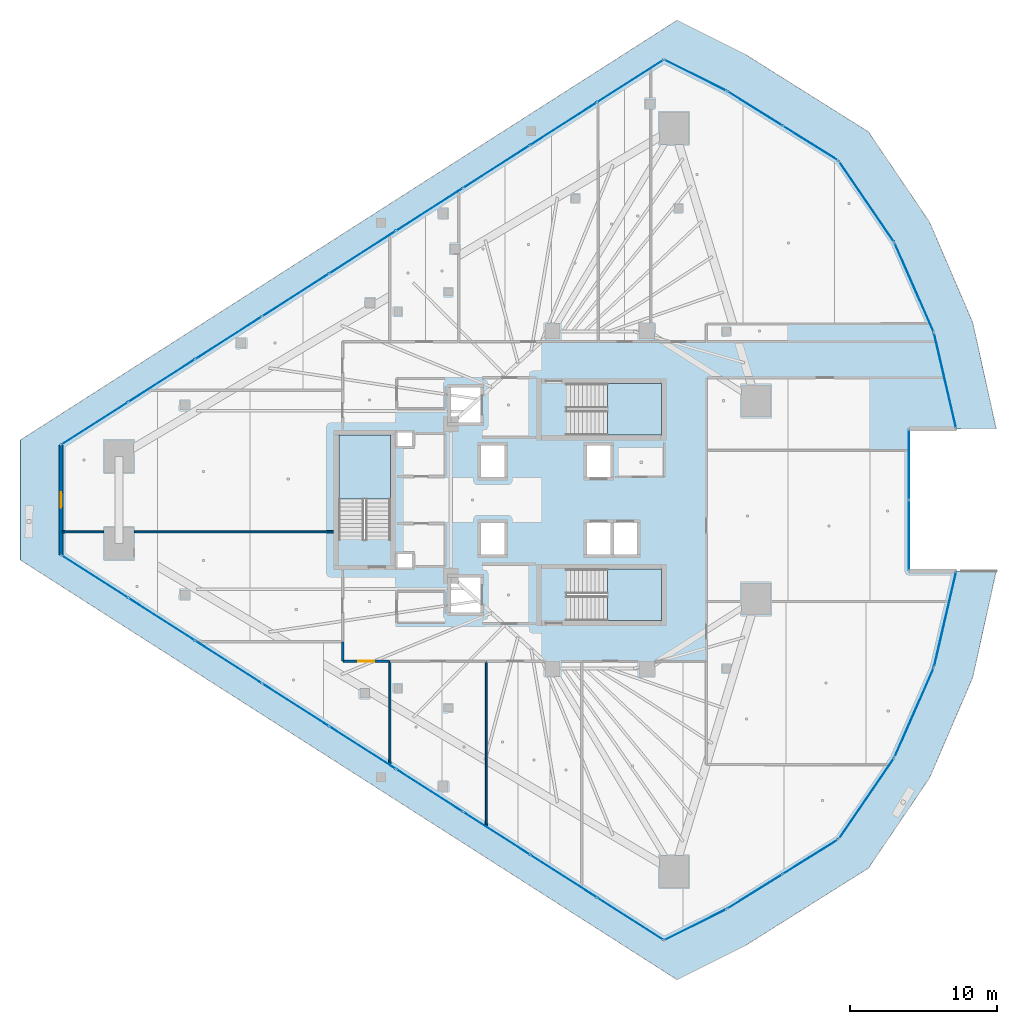
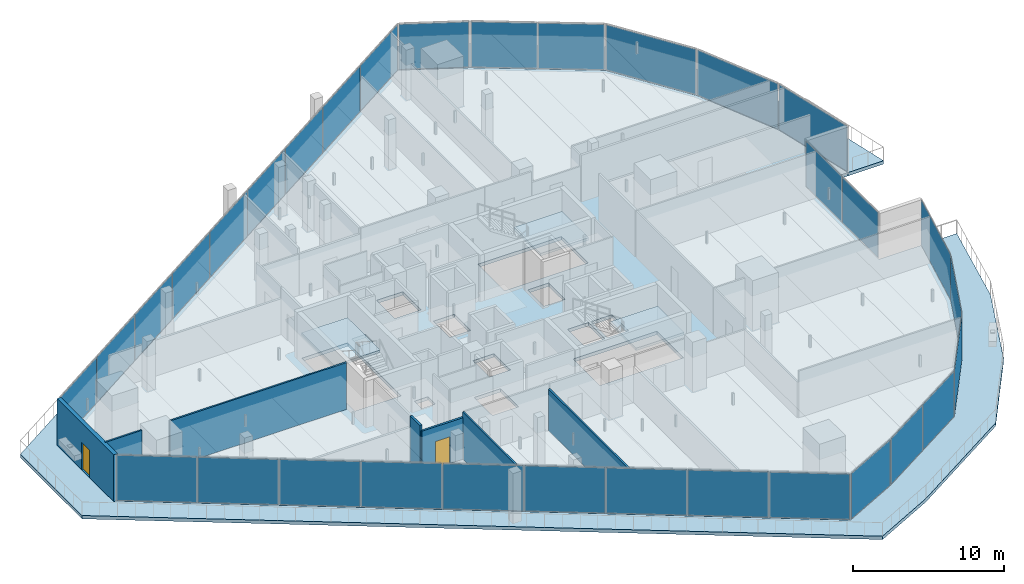
# One storey, part 23 of 38: 32 plates, 7 walls, 5 slabs, 2 doors, 2 openings, 16 elements without a shape of their own.
"""IFC4 building model written with IfcOpenShell, lengths in metres."""

from ifc_helpers import new_model, si_unit, direction, frame, frame_2d, origin, origin_2d, place, context, subcontext, project, spatial, polyline, rectangle, outline, extrude, material, layer, layer_set, type_object, element, fill, aggregate, save


model = new_model("IFC4")

# Units and contexts
model_context = context("Model", 3, precision=1e-05, world=origin(), true_north=direction((0.0, 1.0)))
body_context = subcontext(model_context, "Body", "Model", "MODEL_VIEW")
ifc_project = project(units=[si_unit("LENGTHUNIT", "METRE"), si_unit("AREAUNIT", "SQUARE_METRE"), si_unit("VOLUMEUNIT", "CUBIC_METRE"), si_unit("PLANEANGLEUNIT", "RADIAN"), si_unit("MASSUNIT", "GRAM", prefix="KILO")], contexts=[model_context])

# Site, building, storey
site_placement = place(None, origin())
site = spatial("IfcSite", under=ifc_project, at=site_placement, CompositionType="ELEMENT")
building_placement = place(site_placement, origin())
building = spatial("IfcBuilding", under=site, at=building_placement, Name="Qorvath Tower", CompositionType="ELEMENT")
storey_placement = place(building_placement, frame((0.0, 0.0, 146.25)))
storey = spatial("IfcBuildingStorey", under=building, at=storey_placement, Name="L33", CompositionType="ELEMENT", Elevation=146.25)

# Curtain wall, plates
ifc_material_1 = material(Name="Anodised aluminium and triple low-E glass", Category="aluminium")
ifc_layer_1 = layer(ifc_material_1, 0.179931640625)
ifc_layer_set_1 = layer_set([ifc_layer_1], Name="CW-SYS-3")
curtain_wall_type = type_object("IfcCurtainWallType", Name="CW-SYS-3", PredefinedType="NOTDEFINED", material=ifc_layer_set_1)
curtain_wall_1_placement = place(storey_placement, origin())
curtain_wall_1 = element("IfcCurtainWall", 1, at=curtain_wall_1_placement, inside=storey, type_object=curtain_wall_type, Name="Curtain Wall CW-3 CW-T-L33-2.1", PredefinedType="NOTDEFINED")
ifc_material_2 = material(Name="Low-E triple insulated glass", Category="glass")
ifc_layer_2 = layer(ifc_material_2, 0.031982421875)
ifc_layer_set_2 = layer_set([ifc_layer_2], Name="CWP-GLZ-32")
plate_type = type_object("IfcPlateType", Name="CWP-GLZ-32", PredefinedType="CURTAIN_PANEL", material=ifc_layer_set_2)
plate_1_placement = place(storey_placement, frame((-54.696044921875, -5.20263671875, 0.06494140625), z_axis=(0.0, 0.0, 1.0), x_axis=(0.842604438967, -0.53853296968, 0.0)))
plate_1 = element("IfcPlate", 2, at=plate_1_placement, type_object=plate_type, Name="CW-3 panel 1.1", PredefinedType="CURTAIN_PANEL", context=body_context, shape_type="SweptSolid", body=[
    extrude(rectangle(XDim=5.303466796875, YDim=0.031982421875, at=origin_2d()), origin(), (0.0, 0.0, 1.0), 3.64990234375),
])
plate_2_placement = place(storey_placement, frame((-50.158935546875, -8.102294921875, 0.06494140625), z_axis=(0.0, 0.0, 1.0), x_axis=(0.842604438967, -0.53853296968, 0.0)))
plate_2 = element("IfcPlate", 3, at=plate_2_placement, type_object=plate_type, Name="CW-3 panel 2.1", PredefinedType="CURTAIN_PANEL", context=body_context, shape_type="SweptSolid", body=[
    extrude(rectangle(XDim=5.3359375, YDim=0.031982421875, at=origin_2d()), origin(), (0.0, 0.0, 1.0), 3.64990234375),
])
plate_3_placement = place(storey_placement, frame((-45.608154296875, -11.010986328125, 0.06494140625), z_axis=(0.0, 0.0, 1.0), x_axis=(0.842604438967, -0.53853296968, 0.0)))
plate_3 = element("IfcPlate", 4, at=plate_3_placement, type_object=plate_type, Name="CW-3 panel 3.1", PredefinedType="CURTAIN_PANEL", context=body_context, shape_type="SweptSolid", body=[
    extrude(rectangle(XDim=5.3359375, YDim=0.031982421875, at=origin_2d()), origin(), (0.0, 0.0, 1.0), 3.64990234375),
])
plate_4_placement = place(storey_placement, frame((-41.057373046875, -13.91943359375, 0.06494140625), z_axis=(0.0, 0.0, 1.0), x_axis=(0.842604438967, -0.53853296968, 0.0)))
plate_4 = element("IfcPlate", 5, at=plate_4_placement, type_object=plate_type, Name="CW-3 panel 4.1", PredefinedType="CURTAIN_PANEL", context=body_context, shape_type="SweptSolid", body=[
    extrude(rectangle(XDim=5.3359375, YDim=0.031982421875, at=origin_2d()), origin(), (0.0, 0.0, 1.0), 3.64990234375),
])
plate_5_placement = place(storey_placement, frame((-36.50634765625, -16.827880859375, 0.06494140625), z_axis=(0.0, 0.0, 1.0), x_axis=(0.842604438967, -0.53853296968, 0.0)))
plate_5 = element("IfcPlate", 6, at=plate_5_placement, type_object=plate_type, Name="CW-3 panel 5.1", PredefinedType="CURTAIN_PANEL", context=body_context, shape_type="SweptSolid", body=[
    extrude(rectangle(XDim=5.3359375, YDim=0.031982421875, at=origin_2d()), origin(), (0.0, 0.0, 1.0), 3.64990234375),
])
plate_6_placement = place(storey_placement, frame((-31.95556640625, -19.736572265625, 0.06494140625), z_axis=(0.0, 0.0, 1.0), x_axis=(0.842604438967, -0.53853296968, 0.0)))
plate_6 = element("IfcPlate", 7, at=plate_6_placement, type_object=plate_type, Name="CW-3 panel 6.1", PredefinedType="CURTAIN_PANEL", context=body_context, shape_type="SweptSolid", body=[
    extrude(rectangle(XDim=5.3359375, YDim=0.031982421875, at=origin_2d()), origin(), (0.0, 0.0, 1.0), 3.64990234375),
])
plate_7_placement = place(storey_placement, frame((-27.40478515625, -22.64501953125, 0.06494140625), z_axis=(0.0, 0.0, 1.0), x_axis=(0.842604438967, -0.53853296968, 0.0)))
plate_7 = element("IfcPlate", 8, at=plate_7_placement, type_object=plate_type, Name="CW-3 panel 7.1", PredefinedType="CURTAIN_PANEL", context=body_context, shape_type="SweptSolid", body=[
    extrude(rectangle(XDim=5.3359375, YDim=0.031982421875, at=origin_2d()), origin(), (0.0, 0.0, 1.0), 3.64990234375),
])
plate_8_placement = place(storey_placement, frame((-22.85400390625, -25.5537109375, 0.06494140625), z_axis=(0.0, 0.0, 1.0), x_axis=(0.842604438967, -0.53853296968, 0.0)))
plate_8 = element("IfcPlate", 9, at=plate_8_placement, type_object=plate_type, Name="CW-3 panel 8.1", PredefinedType="CURTAIN_PANEL", context=body_context, shape_type="SweptSolid", body=[
    extrude(rectangle(XDim=5.3359375, YDim=0.031982421875, at=origin_2d()), origin(), (0.0, 0.0, 1.0), 3.64990234375),
])
plate_9_placement = place(storey_placement, frame((-18.31689453125, -28.453369140625, 0.06494140625), z_axis=(0.0, 0.0, 1.0), x_axis=(0.842604438967, -0.53853296968, 0.0)))
plate_9 = element("IfcPlate", 10, at=plate_9_placement, type_object=plate_type, Name="CW-3 panel 9.1", PredefinedType="CURTAIN_PANEL", context=body_context, shape_type="SweptSolid", body=[
    extrude(rectangle(XDim=5.303466796875, YDim=0.031982421875, at=origin_2d()), origin(), (0.0, 0.0, 1.0), 3.64990234375),
])
aggregate(curtain_wall_1, [plate_1, plate_2, plate_3, plate_4, plate_5, plate_6, plate_7, plate_8, plate_9])

# Curtain wall, plate
curtain_wall_2_placement = place(storey_placement, origin())
curtain_wall_2 = element("IfcCurtainWall", 11, at=curtain_wall_2_placement, inside=storey, type_object=curtain_wall_type, Name="Curtain Wall CW-3 CW-T-L33-3.1", PredefinedType="NOTDEFINED")
plate_10_placement = place(storey_placement, frame((-13.890869140625, -28.84814453125, 0.06494140625), z_axis=(0.0, 0.0, 1.0), x_axis=(0.89444811817, 0.447171738712, 0.0)))
plate_10 = element("IfcPlate", 12, at=plate_10_placement, type_object=plate_type, Name="CW-3 panel 1.1", PredefinedType="CURTAIN_PANEL", context=body_context, shape_type="SweptSolid", body=[
    extrude(rectangle(XDim=4.648193359375, YDim=0.031982421875, at=origin_2d()), origin(), (0.0, 0.0, 1.0), 3.64990234375),
])
aggregate(curtain_wall_2, [plate_10])

# Curtain wall, plates
curtain_wall_3_placement = place(storey_placement, origin())
curtain_wall_3 = element("IfcCurtainWall", 13, at=curtain_wall_3_placement, inside=storey, type_object=curtain_wall_type, Name="Curtain Wall CW-3 CW-T-L33-4.1", PredefinedType="NOTDEFINED")
plate_11_placement = place(storey_placement, frame((-9.841796875, -26.58642578125, 0.06494140625), z_axis=(0.0, 0.0, 1.0), x_axis=(0.848346461563, 0.529441480387, 0.0)))
plate_11 = element("IfcPlate", 14, at=plate_11_placement, type_object=plate_type, Name="CW-3 panel 1.1", PredefinedType="CURTAIN_PANEL", context=body_context, shape_type="SweptSolid", body=[
    extrude(rectangle(XDim=4.3779296875, YDim=0.031982421875, at=origin_2d()), origin(), (0.0, 0.0, 1.0), 3.64990234375),
])
plate_12_placement = place(storey_placement, frame((-6.072509765625, -24.234130859375, 0.06494140625), z_axis=(0.0, 0.0, 1.0), x_axis=(0.848346461563, 0.529441480387, 0.0)))
plate_12 = element("IfcPlate", 15, at=plate_12_placement, type_object=plate_type, Name="CW-3 panel 2.1", PredefinedType="CURTAIN_PANEL", context=body_context, shape_type="SweptSolid", body=[
    extrude(rectangle(XDim=4.3779296875, YDim=0.031982421875, at=origin_2d()), origin(), (0.0, 0.0, 1.0), 3.64990234375),
])
aggregate(curtain_wall_3, [plate_11, plate_12])

# Curtain wall, plate
curtain_wall_4_placement = place(storey_placement, origin())
curtain_wall_4 = element("IfcCurtainWall", 16, at=curtain_wall_4_placement, inside=storey, type_object=curtain_wall_type, Name="Curtain Wall CW-3 CW-T-L33-5.1", PredefinedType="NOTDEFINED")
plate_13_placement = place(storey_placement, frame((-2.269287109375, -20.273681640625, 0.06494140625), z_axis=(0.0, 0.0, 1.0), x_axis=(0.564241013294, 0.825610125251, 0.0)))
plate_13 = element("IfcPlate", 17, at=plate_13_placement, type_object=plate_type, Name="CW-3 panel 1.1", PredefinedType="CURTAIN_PANEL", context=body_context, shape_type="SweptSolid", body=[
    extrude(rectangle(XDim=6.5732421875, YDim=0.031982421875, at=origin_2d()), origin(), (0.0, 0.0, 1.0), 3.64990234375),
])
aggregate(curtain_wall_4, [plate_13])

curtain_wall_5_placement = place(storey_placement, origin())
curtain_wall_5 = element("IfcCurtainWall", 18, at=curtain_wall_5_placement, inside=storey, type_object=curtain_wall_type, Name="Curtain Wall CW-3 CW-T-L33-6.1", PredefinedType="NOTDEFINED")
plate_14_placement = place(storey_placement, frame((0.968505859375, -14.437744140625, 0.06494140625), z_axis=(0.0, 0.0, 1.0), x_axis=(0.401853994762, 0.915703754985, 0.0)))
plate_14 = element("IfcPlate", 19, at=plate_14_placement, type_object=plate_type, Name="CW-3 panel 1.1", PredefinedType="CURTAIN_PANEL", context=body_context, shape_type="SweptSolid", body=[
    extrude(rectangle(XDim=6.572998046875, YDim=0.031982421875, at=origin_2d()), origin(), (0.0, 0.0, 1.0), 3.64990234375),
])
aggregate(curtain_wall_5, [plate_14])

curtain_wall_6_placement = place(storey_placement, origin())
curtain_wall_6 = element("IfcCurtainWall", 20, at=curtain_wall_6_placement, inside=storey, type_object=curtain_wall_type, Name="Curtain Wall CW-3 CW-T-L33-7.1", PredefinedType="NOTDEFINED")
plate_15_placement = place(storey_placement, frame((3.0712890625, -8.103515625, 0.06494140625), z_axis=(0.0, 0.0, 1.0), x_axis=(0.225526270485, 0.974237086813, 0.0)))
plate_15 = element("IfcPlate", 21, at=plate_15_placement, type_object=plate_type, Name="CW-3 panel 1.1", PredefinedType="CURTAIN_PANEL", context=body_context, shape_type="SweptSolid", body=[
    extrude(rectangle(XDim=6.572998046875, YDim=0.031982421875, at=origin_2d()), origin(), (0.0, 0.0, 1.0), 3.64990234375),
])
aggregate(curtain_wall_6, [plate_15])

# Curtain wall, plates
curtain_wall_7_placement = place(storey_placement, origin())
curtain_wall_7 = element("IfcCurtainWall", 22, at=curtain_wall_7_placement, inside=storey, type_object=curtain_wall_type, Name="Curtain Wall CW-3 CW-T-L33-9.1", PredefinedType="NOTDEFINED")
plate_16_placement = place(storey_placement, frame((0.6015625, -2.40283203125, 0.06494140625), z_axis=(0.0, 0.0, 1.0), x_axis=(0.0, 1.0, 0.0)))
plate_16 = element("IfcPlate", 23, at=plate_16_placement, type_object=plate_type, Name="CW-3 panel 1.1", PredefinedType="CURTAIN_PANEL", context=body_context, shape_type="SweptSolid", body=[
    extrude(rectangle(XDim=4.740966796875, YDim=0.031982421875, at=origin_2d()), origin(), (0.0, 0.0, 1.0), 3.64990234375),
])
plate_17_placement = place(storey_placement, frame((0.6015625, 2.40283203125, 0.06494140625), z_axis=(0.0, 0.0, 1.0), x_axis=(0.0, 1.0, 0.0)))
plate_17 = element("IfcPlate", 24, at=plate_17_placement, type_object=plate_type, Name="CW-3 panel 2.1", PredefinedType="CURTAIN_PANEL", context=body_context, shape_type="SweptSolid", body=[
    extrude(rectangle(XDim=4.740966796875, YDim=0.031982421875, at=origin_2d()), origin(), (0.0, 0.0, 1.0), 3.64990234375),
])
aggregate(curtain_wall_7, [plate_16, plate_17])

# Curtain wall, plate
curtain_wall_8_placement = place(storey_placement, origin())
curtain_wall_8 = element("IfcCurtainWall", 25, at=curtain_wall_8_placement, inside=storey, type_object=curtain_wall_type, Name="Curtain Wall CW-3 CW-T-L33-11.1", PredefinedType="NOTDEFINED")
plate_18_placement = place(storey_placement, frame((3.0712890625, 8.103515625, 0.06494140625), z_axis=(0.0, 0.0, 1.0), x_axis=(-0.225526270485, 0.974237086813, 0.0)))
plate_18 = element("IfcPlate", 26, at=plate_18_placement, type_object=plate_type, Name="CW-3 panel 1.1", PredefinedType="CURTAIN_PANEL", context=body_context, shape_type="SweptSolid", body=[
    extrude(rectangle(XDim=6.572998046875, YDim=0.031982421875, at=origin_2d()), origin(), (0.0, 0.0, 1.0), 3.64990234375),
])
aggregate(curtain_wall_8, [plate_18])

curtain_wall_9_placement = place(storey_placement, origin())
curtain_wall_9 = element("IfcCurtainWall", 27, at=curtain_wall_9_placement, inside=storey, type_object=curtain_wall_type, Name="Curtain Wall CW-3 CW-T-L33-12.1", PredefinedType="NOTDEFINED")
plate_19_placement = place(storey_placement, frame((0.968505859375, 14.437744140625, 0.06494140625), z_axis=(0.0, 0.0, 1.0), x_axis=(-0.401853994762, 0.915703754985, 0.0)))
plate_19 = element("IfcPlate", 28, at=plate_19_placement, type_object=plate_type, Name="CW-3 panel 1.1", PredefinedType="CURTAIN_PANEL", context=body_context, shape_type="SweptSolid", body=[
    extrude(rectangle(XDim=6.572998046875, YDim=0.031982421875, at=origin_2d()), origin(), (0.0, 0.0, 1.0), 3.64990234375),
])
aggregate(curtain_wall_9, [plate_19])

curtain_wall_10_placement = place(storey_placement, origin())
curtain_wall_10 = element("IfcCurtainWall", 29, at=curtain_wall_10_placement, inside=storey, type_object=curtain_wall_type, Name="Curtain Wall CW-3 CW-T-L33-13.1", PredefinedType="NOTDEFINED")
plate_20_placement = place(storey_placement, frame((-2.269287109375, 20.273681640625, 0.06494140625), z_axis=(0.0, 0.0, 1.0), x_axis=(-0.564241013294, 0.825610125251, 0.0)))
plate_20 = element("IfcPlate", 30, at=plate_20_placement, type_object=plate_type, Name="CW-3 panel 1.1", PredefinedType="CURTAIN_PANEL", context=body_context, shape_type="SweptSolid", body=[
    extrude(rectangle(XDim=6.5732421875, YDim=0.031982421875, at=origin_2d()), origin(), (0.0, 0.0, 1.0), 3.64990234375),
])
aggregate(curtain_wall_10, [plate_20])

# Curtain wall, plates
curtain_wall_11_placement = place(storey_placement, origin())
curtain_wall_11 = element("IfcCurtainWall", 31, at=curtain_wall_11_placement, inside=storey, type_object=curtain_wall_type, Name="Curtain Wall CW-3 CW-T-L33-14.1", PredefinedType="NOTDEFINED")
plate_21_placement = place(storey_placement, frame((-6.072509765625, 24.234130859375, 0.06494140625), z_axis=(0.0, 0.0, 1.0), x_axis=(-0.848346461563, 0.529441480387, 0.0)))
plate_21 = element("IfcPlate", 32, at=plate_21_placement, type_object=plate_type, Name="CW-3 panel 1.1", PredefinedType="CURTAIN_PANEL", context=body_context, shape_type="SweptSolid", body=[
    extrude(rectangle(XDim=4.3779296875, YDim=0.031982421875, at=origin_2d()), origin(), (0.0, 0.0, 1.0), 3.64990234375),
])
plate_22_placement = place(storey_placement, frame((-9.841796875, 26.58642578125, 0.06494140625), z_axis=(0.0, 0.0, 1.0), x_axis=(-0.848346461563, 0.529441480387, 0.0)))
plate_22 = element("IfcPlate", 33, at=plate_22_placement, type_object=plate_type, Name="CW-3 panel 2.1", PredefinedType="CURTAIN_PANEL", context=body_context, shape_type="SweptSolid", body=[
    extrude(rectangle(XDim=4.3779296875, YDim=0.031982421875, at=origin_2d()), origin(), (0.0, 0.0, 1.0), 3.64990234375),
])
aggregate(curtain_wall_11, [plate_21, plate_22])

# Curtain wall, plate
curtain_wall_12_placement = place(storey_placement, origin())
curtain_wall_12 = element("IfcCurtainWall", 34, at=curtain_wall_12_placement, inside=storey, type_object=curtain_wall_type, Name="Curtain Wall CW-3 CW-T-L33-15.1", PredefinedType="NOTDEFINED")
plate_23_placement = place(storey_placement, frame((-13.890869140625, 28.84814453125, 0.06494140625), z_axis=(0.0, 0.0, 1.0), x_axis=(-0.89444811817, 0.447171738712, 0.0)))
plate_23 = element("IfcPlate", 35, at=plate_23_placement, type_object=plate_type, Name="CW-3 panel 1.1", PredefinedType="CURTAIN_PANEL", context=body_context, shape_type="SweptSolid", body=[
    extrude(rectangle(XDim=4.648193359375, YDim=0.031982421875, at=origin_2d()), origin(), (0.0, 0.0, 1.0), 3.64990234375),
])
aggregate(curtain_wall_12, [plate_23])

# Curtain wall, plates
curtain_wall_13_placement = place(storey_placement, origin())
curtain_wall_13 = element("IfcCurtainWall", 36, at=curtain_wall_13_placement, inside=storey, type_object=curtain_wall_type, Name="Curtain Wall CW-3 CW-T-L33-16.1", PredefinedType="NOTDEFINED")
plate_24_placement = place(storey_placement, frame((-18.31689453125, 28.453369140625, 0.06494140625), z_axis=(0.0, 0.0, 1.0), x_axis=(-0.842604438967, -0.53853296968, 0.0)))
plate_24 = element("IfcPlate", 37, at=plate_24_placement, type_object=plate_type, Name="CW-3 panel 1.1", PredefinedType="CURTAIN_PANEL", context=body_context, shape_type="SweptSolid", body=[
    extrude(rectangle(XDim=5.303466796875, YDim=0.031982421875, at=origin_2d()), origin(), (0.0, 0.0, 1.0), 3.64990234375),
])
plate_25_placement = place(storey_placement, frame((-22.85400390625, 25.5537109375, 0.06494140625), z_axis=(0.0, 0.0, 1.0), x_axis=(-0.842604438967, -0.53853296968, 0.0)))
plate_25 = element("IfcPlate", 38, at=plate_25_placement, type_object=plate_type, Name="CW-3 panel 2.1", PredefinedType="CURTAIN_PANEL", context=body_context, shape_type="SweptSolid", body=[
    extrude(rectangle(XDim=5.3359375, YDim=0.031982421875, at=origin_2d()), origin(), (0.0, 0.0, 1.0), 3.64990234375),
])
plate_26_placement = place(storey_placement, frame((-27.40478515625, 22.64501953125, 0.06494140625), z_axis=(0.0, 0.0, 1.0), x_axis=(-0.842604438967, -0.53853296968, 0.0)))
plate_26 = element("IfcPlate", 39, at=plate_26_placement, type_object=plate_type, Name="CW-3 panel 3.1", PredefinedType="CURTAIN_PANEL", context=body_context, shape_type="SweptSolid", body=[
    extrude(rectangle(XDim=5.3359375, YDim=0.031982421875, at=origin_2d()), origin(), (0.0, 0.0, 1.0), 3.64990234375),
])
plate_27_placement = place(storey_placement, frame((-31.95556640625, 19.736572265625, 0.06494140625), z_axis=(0.0, 0.0, 1.0), x_axis=(-0.842604438967, -0.53853296968, 0.0)))
plate_27 = element("IfcPlate", 40, at=plate_27_placement, type_object=plate_type, Name="CW-3 panel 4.1", PredefinedType="CURTAIN_PANEL", context=body_context, shape_type="SweptSolid", body=[
    extrude(rectangle(XDim=5.3359375, YDim=0.031982421875, at=origin_2d()), origin(), (0.0, 0.0, 1.0), 3.64990234375),
])
plate_28_placement = place(storey_placement, frame((-36.50634765625, 16.827880859375, 0.06494140625), z_axis=(0.0, 0.0, 1.0), x_axis=(-0.842604438967, -0.53853296968, 0.0)))
plate_28 = element("IfcPlate", 41, at=plate_28_placement, type_object=plate_type, Name="CW-3 panel 5.1", PredefinedType="CURTAIN_PANEL", context=body_context, shape_type="SweptSolid", body=[
    extrude(rectangle(XDim=5.3359375, YDim=0.031982421875, at=origin_2d()), origin(), (0.0, 0.0, 1.0), 3.64990234375),
])
plate_29_placement = place(storey_placement, frame((-41.057373046875, 13.91943359375, 0.06494140625), z_axis=(0.0, 0.0, 1.0), x_axis=(-0.842604438967, -0.53853296968, 0.0)))
plate_29 = element("IfcPlate", 42, at=plate_29_placement, type_object=plate_type, Name="CW-3 panel 6.1", PredefinedType="CURTAIN_PANEL", context=body_context, shape_type="SweptSolid", body=[
    extrude(rectangle(XDim=5.3359375, YDim=0.031982421875, at=origin_2d()), origin(), (0.0, 0.0, 1.0), 3.64990234375),
])
plate_30_placement = place(storey_placement, frame((-45.608154296875, 11.010986328125, 0.06494140625), z_axis=(0.0, 0.0, 1.0), x_axis=(-0.842604438967, -0.53853296968, 0.0)))
plate_30 = element("IfcPlate", 43, at=plate_30_placement, type_object=plate_type, Name="CW-3 panel 7.1", PredefinedType="CURTAIN_PANEL", context=body_context, shape_type="SweptSolid", body=[
    extrude(rectangle(XDim=5.3359375, YDim=0.031982421875, at=origin_2d()), origin(), (0.0, 0.0, 1.0), 3.64990234375),
])
plate_31_placement = place(storey_placement, frame((-50.158935546875, 8.102294921875, 0.06494140625), z_axis=(0.0, 0.0, 1.0), x_axis=(-0.842604438967, -0.53853296968, 0.0)))
plate_31 = element("IfcPlate", 44, at=plate_31_placement, type_object=plate_type, Name="CW-3 panel 8.1", PredefinedType="CURTAIN_PANEL", context=body_context, shape_type="SweptSolid", body=[
    extrude(rectangle(XDim=5.3359375, YDim=0.031982421875, at=origin_2d()), origin(), (0.0, 0.0, 1.0), 3.64990234375),
])
plate_32_placement = place(storey_placement, frame((-54.696044921875, 5.20263671875, 0.06494140625), z_axis=(0.0, 0.0, 1.0), x_axis=(-0.842604438967, -0.53853296968, 0.0)))
plate_32 = element("IfcPlate", 45, at=plate_32_placement, type_object=plate_type, Name="CW-3 panel 9.1", PredefinedType="CURTAIN_PANEL", context=body_context, shape_type="SweptSolid", body=[
    extrude(rectangle(XDim=5.303466796875, YDim=0.031982421875, at=origin_2d()), origin(), (0.0, 0.0, 1.0), 3.64990234375),
])
aggregate(curtain_wall_13, [plate_24, plate_25, plate_26, plate_27, plate_28, plate_29, plate_30, plate_31, plate_32])

# Stair, slab
ifc_material_3 = material(Name="Concrete C50/60", Category="concrete")
stair_type = type_object("IfcStairType", Name="ST-H405", PredefinedType="HALF_TURN_STAIR", material=ifc_material_3)
stair_1_placement = place(storey_placement, origin())
stair_1 = element("IfcStair", 46, at=stair_1_placement, inside=storey, type_object=stair_type, Name="L33 Tower Exit Stair 1", PredefinedType="HALF_TURN_STAIR")
ifc_material_4 = material(Name="Concrete C50/60", Category="concrete")
ifc_layer_3 = layer(ifc_material_4, 0.199951171875)
ifc_layer_set_3 = layer_set([ifc_layer_3], Name="SL-LND-200")
slab_type_1 = type_object("IfcSlabType", Name="SL-LND-200", PredefinedType="LANDING", material=ifc_layer_set_3)
slab_1_placement = place(storey_placement, frame((0.0, 0.0, 1.824951171875)))
slab_1 = element("IfcSlab", 47, at=slab_1_placement, type_object=slab_type_1, Name="TS1 landing 1", PredefinedType="LANDING", context=body_context, shape_type="SweptSolid", body=[
    extrude(outline(polyline([(-19.8701171875, 4.39990234375), (-16.199951171875, 4.39990234375), (-16.199951171875, 7.909912109375), (-19.8701171875, 7.909912109375), (-19.8701171875, 4.39990234375)])), origin(), (0.0, 0.0, 1.0), 0.199951171875),
])
aggregate(stair_1, [slab_1])

stair_2_placement = place(storey_placement, origin())
stair_2 = element("IfcStair", 48, at=stair_2_placement, inside=storey, type_object=stair_type, Name="L33 Tower Exit Stair 2", PredefinedType="HALF_TURN_STAIR")
slab_2_placement = place(storey_placement, frame((0.0, 0.0, 1.824951171875)))
slab_2 = element("IfcSlab", 49, at=slab_2_placement, type_object=slab_type_1, Name="TS2 landing 1", PredefinedType="LANDING", context=body_context, shape_type="SweptSolid", body=[
    extrude(outline(polyline([(-19.8701171875, -8.199951171875), (-16.199951171875, -8.199951171875), (-16.199951171875, -4.68994140625), (-19.8701171875, -4.68994140625), (-19.8701171875, -8.199951171875)])), origin(), (0.0, 0.0, 1.0), 0.199951171875),
])
aggregate(stair_2, [slab_2])

stair_3_placement = place(storey_placement, origin())
stair_3 = element("IfcStair", 50, at=stair_3_placement, inside=storey, type_object=stair_type, Name="L33 Tower Exit Stair 3", PredefinedType="HALF_TURN_STAIR")
slab_3_placement = place(storey_placement, frame((0.0, 0.0, 1.824951171875)))
slab_3 = element("IfcSlab", 51, at=slab_3_placement, type_object=slab_type_1, Name="TS3 landing 1", PredefinedType="LANDING", context=body_context, shape_type="SweptSolid", body=[
    extrude(outline(polyline([(-34.60009765625, 0.080078125), (-34.60009765625, 4.39990234375), (-38.110107421875, 4.39990234375), (-38.110107421875, 0.080078125), (-34.60009765625, 0.080078125)])), origin(), (0.0, 0.0, 1.0), 0.199951171875),
])
aggregate(stair_3, [slab_3])

# Slabs
ifc_material_5 = material(Name="Precast concrete C45/55", Category="concrete")
ifc_layer_4 = layer(ifc_material_5, 0.27001953125)
ifc_layer_set_4 = layer_set([ifc_layer_4], Name="SL-LOG-270")
slab_type_2 = type_object("IfcSlabType", Name="SL-LOG-270", PredefinedType="FLOOR", material=ifc_layer_set_4)
slab_4_placement = place(storey_placement, frame((0.0, 0.0, -0.27001953125)))
element("IfcSlab", 52, at=slab_4_placement, inside=storey, type_object=slab_type_2, Name="Tower L33 Perimeter Loggia and Terrace Slab", PredefinedType="FLOOR", context=body_context, shape_type="SweptSolid", body=[
    extrude(outline(polyline([(3.8271484375, -4.83837890625), (2.3154296875, -11.36865234375), (-0.378173828125, -17.506591796875), (-4.160400390625, -23.040771484375), (-11.75390625, -27.77978515625), (-16.02783203125, -29.91650390625), (-56.985107421875, -3.739501953125), (-56.985107421875, 3.739501953125), (-16.02783203125, 29.91650390625), (-11.75390625, 27.77978515625), (-4.160400390625, 23.040771484375), (-0.378173828125, 17.506591796875), (2.3154296875, 11.36865234375), (3.8271484375, 4.83837890625), (6.54345703125, 4.83837890625), (4.9423828125, 12.072509765625), (2.01220703125, 18.877685546875), (-2.14306640625, 25.011962890625), (-10.4833984375, 30.25732421875), (-15.138427734375, 32.5849609375), (-59.74853515625, 4.072998046875), (-59.74853515625, -4.072998046875), (-15.138427734375, -32.5849609375), (-10.4833984375, -30.25732421875), (-2.14306640625, -25.011962890625), (2.01220703125, -18.877685546875), (4.9423828125, -12.072509765625), (6.54345703125, -4.83837890625), (3.8271484375, -4.83837890625)])), origin(), (0.0, 0.0, 1.0), 0.27001953125),
])
ifc_material_6 = material(Name="Concrete C45/55", Category="concrete")
ifc_layer_5 = layer(ifc_material_6, 0.27001953125)
ifc_layer_set_5 = layer_set([ifc_layer_5], Name="SL-MID-270")
slab_type_3 = type_object("IfcSlabType", Name="SL-MID-270", PredefinedType="FLOOR", material=ifc_layer_set_5)
slab_5_placement = place(storey_placement, frame((0.0, 0.0, -0.27001953125)))
element("IfcSlab", 53, at=slab_5_placement, inside=storey, type_object=slab_type_3, Name="Tower L33 Interior Floor Slab", PredefinedType="FLOOR", context=body_context, shape_type="SweptSolid", body=[
    extrude(outline(polyline([(-56.985107421875, 3.739501953125), (-56.985107421875, -3.739501953125), (-16.02783203125, -29.91650390625), (-11.75390625, -27.77978515625), (-4.160400390625, -23.040771484375), (-0.378173828125, -17.506591796875), (2.3154296875, -11.36865234375), (3.8271484375, -4.83837890625), (0.6015625, -4.83837890625), (0.6015625, 4.83837890625), (3.8271484375, 4.83837890625), (2.3154296875, 11.36865234375), (-0.378173828125, 17.506591796875), (-4.160400390625, 23.040771484375), (-11.75390625, 27.77978515625), (-16.02783203125, 29.91650390625), (-56.985107421875, 3.739501953125)]), holes=[polyline([(-16.2451171875, -8.199951171875), (-22.625, -8.199951171875), (-22.625, -4.68994140625), (-16.2451171875, -4.68994140625), (-16.2451171875, -8.199951171875)]), polyline([(-22.625, 4.39990234375), (-22.625, 7.909912109375), (-16.2451171875, 7.909912109375), (-16.2451171875, 4.39990234375), (-22.625, 4.39990234375)]), polyline([(-17.85009765625, -3.699951171875), (-19.449951171875, -3.699951171875), (-19.449951171875, -1.550048828125), (-17.85009765625, -1.550048828125), (-17.85009765625, -3.699951171875)]), polyline([(-21.25, -3.699951171875), (-21.25, -1.550048828125), (-19.64990234375, -1.550048828125), (-19.64990234375, -3.699951171875), (-21.25, -3.699951171875)]), polyline([(-21.25, 1.550048828125), (-21.25, 3.699951171875), (-19.64990234375, 3.699951171875), (-19.64990234375, 1.550048828125), (-21.25, 1.550048828125)]), polyline([(-28.449951171875, -3.699951171875), (-28.449951171875, -1.550048828125), (-26.85009765625, -1.550048828125), (-26.85009765625, -3.699951171875), (-28.449951171875, -3.699951171875)]), polyline([(-26.85009765625, 1.550048828125), (-28.449951171875, 1.550048828125), (-28.449951171875, 3.699951171875), (-26.85009765625, 3.699951171875), (-26.85009765625, 1.550048828125)]), polyline([(-28.5, -7.64990234375), (-30.5, -7.64990234375), (-30.5, -5.25), (-28.5, -5.25), (-28.5, -7.64990234375)]), polyline([(-30.5, 5.25), (-30.5, 7.64990234375), (-28.5, 7.64990234375), (-28.5, 5.25), (-30.5, 5.25)]), polyline([(-34.14990234375, -4.6201171875), (-34.14990234375, -3.64990234375), (-33.10009765625, -3.64990234375), (-33.10009765625, -4.6201171875), (-34.14990234375, -4.6201171875)]), polyline([(-34.14990234375, 3.64990234375), (-34.14990234375, 4.6201171875), (-33.10009765625, 4.6201171875), (-33.10009765625, 3.64990234375), (-34.14990234375, 3.64990234375)]), polyline([(-34.60009765625, -2.675048828125), (-38.110107421875, -2.675048828125), (-38.110107421875, 4.35498046875), (-34.60009765625, 4.35498046875), (-34.60009765625, -2.675048828125)])]), origin(), (0.0, 0.0, 1.0), 0.27001953125),
])

# Wall, opening, door
ifc_material_7 = material(Name="Double acoustic gypsum board on steel studs", Category="steel")
ifc_layer_6 = layer(ifc_material_7, 0.159912109375)
ifc_layer_set_6 = layer_set([ifc_layer_6], Name="IW-ACOUSTIC-160")
wall_type_1 = type_object("IfcWallType", Name="IW-ACOUSTIC-160", PredefinedType="PARTITIONING", material=ifc_layer_set_6)
wall_1_placement = place(storey_placement, frame((-34.68310546875, -10.9580078125, 0.0), z_axis=(0.0, 0.0, 1.0), x_axis=(-1.0, 0.0, 0.0)))
wall_1 = element("IfcWall", 54, at=wall_1_placement, inside=storey, type_object=wall_type_1, Name="Interior Partition IW-T1-L33-051", PredefinedType="PARTITIONING", context=body_context, shape_type="SweptSolid", body=[
    extrude(rectangle(XDim=3.14990234375, YDim=0.159912109375, at=frame_2d((1.574951171875, 0.0))), origin(), (0.0, 0.0, 1.0), 3.34375),
])
opening_1_placement = place(wall_1_placement, frame((1.02490234375, 0.0, 0.0)))
opening_1 = element("IfcOpeningElement", 55, at=opening_1_placement, cuts=wall_1, Name="Opening D-T1-L33-16", PredefinedType="OPENING", context=body_context, shape_type="SweptSolid", body=[
    extrude(rectangle(XDim=1.10009765625, YDim=2.14990234375, at=frame_2d((0.550048828125, 1.074951171875))), frame((0.0, 0.08984375, 0.0), z_axis=(0.0, -1.0, 0.0), x_axis=(1.0, 0.0, 0.0)), (0.0, 0.0, 1.0), 0.179931640625),
])
ifc_material_8 = material(Name="Anodised aluminium acoustic framed glass", Category="aluminium")
door_type_1 = type_object("IfcDoorType", Name="D-03", OperationType="NOTDEFINED", PredefinedType="DOOR", material=ifc_material_8)
door_1_placement = place(opening_1_placement, origin())
door_1 = element("IfcDoor", 56, at=door_1_placement, inside=storey, type_object=door_type_1, Name="L33-11 Client Services Office Door D-T1-L33-16", OperationType="SINGLE_SWING_RIGHT", OverallHeight=2.14990234375, OverallWidth=1.10009765625, PredefinedType="DOOR", context=body_context, shape_type="SweptSolid", body=[
    extrude(rectangle(XDim=1.10009765625, YDim=2.14990234375, at=frame_2d((0.550048828125, 1.074951171875))), frame((0.0, 0.02490234375, 0.0), z_axis=(0.0, -1.0, 0.0), x_axis=(1.0, 0.0, 0.0)), (0.0, 0.0, 1.0), 0.050048828125),
])
fill(opening_1, door_1)

# Walls
wall_2_placement = place(storey_placement, frame((-37.85791015625, -10.93310546875, 0.0), z_axis=(0.0, 0.0, 1.0), x_axis=(0.0, 1.0, 0.0)))
element("IfcWall", 57, at=wall_2_placement, inside=storey, type_object=wall_type_1, Name="Interior Partition IW-T1-L33-052", PredefinedType="PARTITIONING", context=body_context, shape_type="SweptSolid", body=[
    extrude(rectangle(XDim=1.28466796875, YDim=0.159912109375, at=frame_2d((0.642333984375, 0.0))), origin(), (0.0, 0.0, 1.0), 3.780029296875),
])
ifc_material_9 = material(Name="Gypsum board on metal studs with mineral wool", Category="gypsum")
ifc_layer_7 = layer(ifc_material_9, 0.125)
ifc_layer_set_7 = layer_set([ifc_layer_7], Name="IW-PART-125")
wall_type_2 = type_object("IfcWallType", Name="IW-PART-125", PredefinedType="PARTITIONING", material=ifc_layer_set_7)
wall_3_placement = place(storey_placement, frame((-34.64990234375, -10.98291015625, 0.0), z_axis=(0.0, 0.0, 1.0), x_axis=(0.0, -1.0, 0.0)))
element("IfcWall", 58, at=wall_3_placement, inside=storey, type_object=wall_type_2, Name="Interior Partition IW-T1-L33-034", PredefinedType="PARTITIONING", context=body_context, shape_type="SweptSolid", body=[
    extrude(rectangle(XDim=6.95166015625, YDim=0.125, at=frame_2d((3.475830078125, 0.0))), origin(), (0.0, 0.0, 1.0), 3.780029296875),
])
wall_4_placement = place(storey_placement, frame((-28.101806640625, -22.119873046875, 0.0), z_axis=(0.0, 0.0, 1.0), x_axis=(0.0, 1.0, 0.0)))
element("IfcWall", 59, at=wall_4_placement, inside=storey, type_object=wall_type_2, Name="Interior Partition IW-T1-L33-035", PredefinedType="PARTITIONING", context=body_context, shape_type="SweptSolid", body=[
    extrude(rectangle(XDim=11.136962890625, YDim=0.125, at=frame_2d((5.568359375, 0.0))), origin(), (0.0, 0.0, 1.0), 3.34375),
])
wall_5_placement = place(storey_placement, frame((-38.492919921875, -2.163818359375, 0.0), z_axis=(0.0, 0.0, 1.0), x_axis=(-1.0, 0.0, 0.0)))
element("IfcWall", 60, at=wall_5_placement, inside=storey, type_object=wall_type_2, Name="Interior Partition IW-T1-L33-055", PredefinedType="PARTITIONING", context=body_context, shape_type="SweptSolid", body=[
    extrude(rectangle(XDim=13.491455078125, YDim=0.125, at=frame_2d((6.74560546875, 0.0))), origin(), (0.0, 0.0, 1.0), 3.780029296875),
])
wall_6_placement = place(storey_placement, frame((-54.114501953125, -2.163818359375, 0.0), z_axis=(0.0, 0.0, 1.0), x_axis=(-1.0, 0.0, 0.0)))
element("IfcWall", 61, at=wall_6_placement, inside=storey, type_object=wall_type_2, Name="Interior Partition IW-T1-L33-056", PredefinedType="PARTITIONING", context=body_context, shape_type="SweptSolid", body=[
    extrude(rectangle(XDim=2.79052734375, YDim=0.125, at=frame_2d((1.395263671875, 0.0))), origin(), (0.0, 0.0, 1.0), 3.780029296875),
])

# Wall, opening, door
ifc_material_10 = material(Name="Precast concrete C45/55", Category="concrete")
ifc_layer_8 = layer(ifc_material_10, 0.300048828125)
ifc_layer_set_8 = layer_set([ifc_layer_8], Name="WL-EW-LOG-300")
wall_type_3 = type_object("IfcWallType", Name="WL-EW-LOG-300", PredefinedType="SOLIDWALL", material=ifc_layer_set_8)
wall_7_placement = place(storey_placement, frame((-56.985107421875, -3.739501953125, 0.0), z_axis=(0.0, 0.0, 1.0), x_axis=(0.0, 1.0, 0.0)))
wall_7 = element("IfcWall", 62, at=wall_7_placement, inside=storey, type_object=wall_type_3, Name="Tower Precast Loggia Wall L33-1.1", PredefinedType="SOLIDWALL", context=body_context, shape_type="SweptSolid", body=[
    extrude(rectangle(XDim=7.47900390625, YDim=0.300048828125, at=frame_2d((3.739501953125, 0.0))), origin(), (0.0, 0.0, 1.0), 3.780029296875),
])
opening_2_placement = place(wall_7_placement, frame((3.214599609375, 0.0, 0.0)))
opening_2 = element("IfcOpeningElement", 63, at=opening_2_placement, cuts=wall_7, Name="Opening ED-L33-01", PredefinedType="OPENING", context=body_context, shape_type="SweptSolid", body=[
    extrude(rectangle(XDim=1.050048828125, YDim=2.199951171875, at=frame_2d((0.52490234375, 1.10009765625))), frame((0.0, 0.16015625, 0.0), z_axis=(0.0, -1.0, 0.0), x_axis=(1.0, 0.0, 0.0)), (0.0, 0.0, 1.0), 0.320068359375),
])
ifc_material_11 = material(Name="Thermally broken aluminium glazed door", Category="aluminium")
door_type_2 = type_object("IfcDoorType", Name="ED-LOG", OperationType="NOTDEFINED", PredefinedType="DOOR", material=ifc_material_11)
door_2_placement = place(opening_2_placement, origin())
door_2 = element("IfcDoor", 64, at=door_2_placement, inside=storey, type_object=door_type_2, Name="L33 Recessed Loggia Access Door 1", OperationType="SINGLE_SWING_LEFT", OverallHeight=2.199951171875, OverallWidth=1.050048828125, PredefinedType="DOOR", context=body_context, shape_type="SweptSolid", body=[
    extrude(rectangle(XDim=1.050048828125, YDim=2.199951171875, at=frame_2d((0.52490234375, 1.10009765625))), frame((0.0, 0.02490234375, 0.0), z_axis=(0.0, -1.0, 0.0), x_axis=(1.0, 0.0, 0.0)), (0.0, 0.0, 1.0), 0.050048828125),
])
fill(opening_2, door_2)

save(model, "model.ifc")
